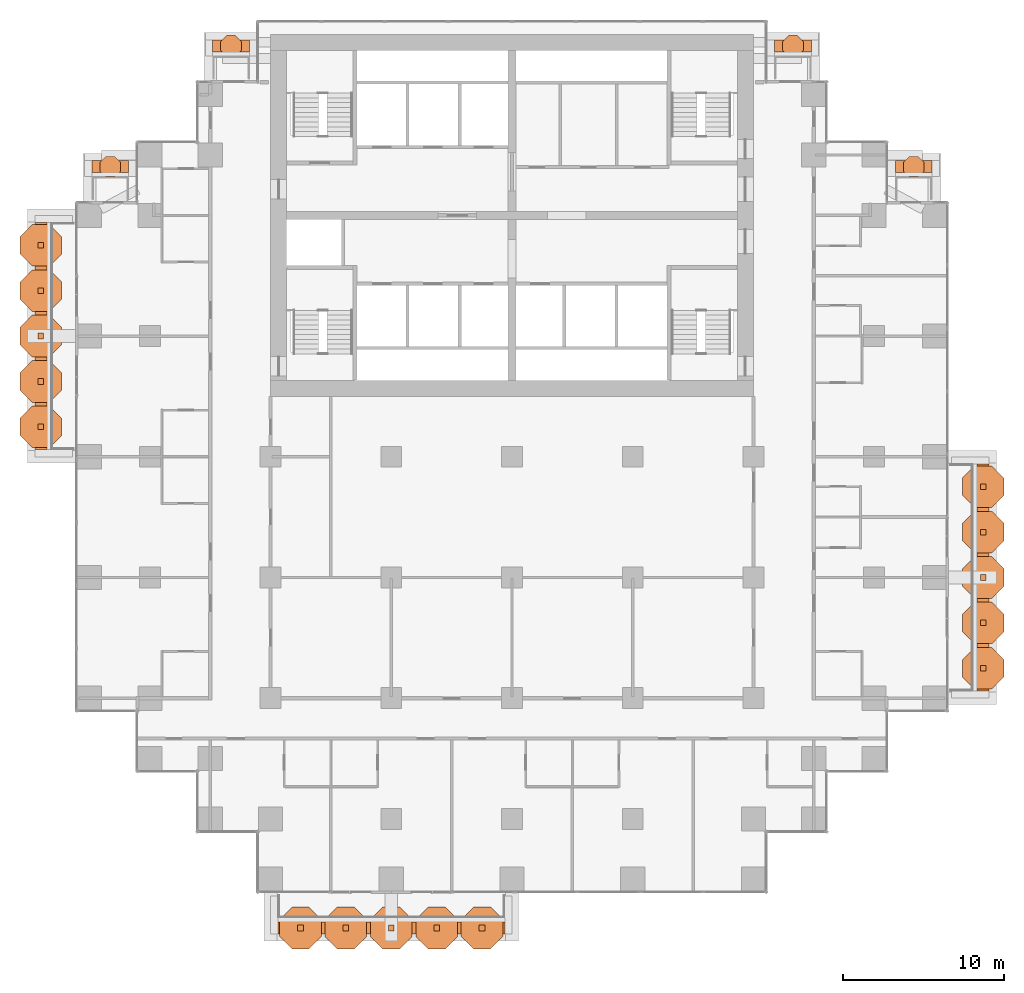
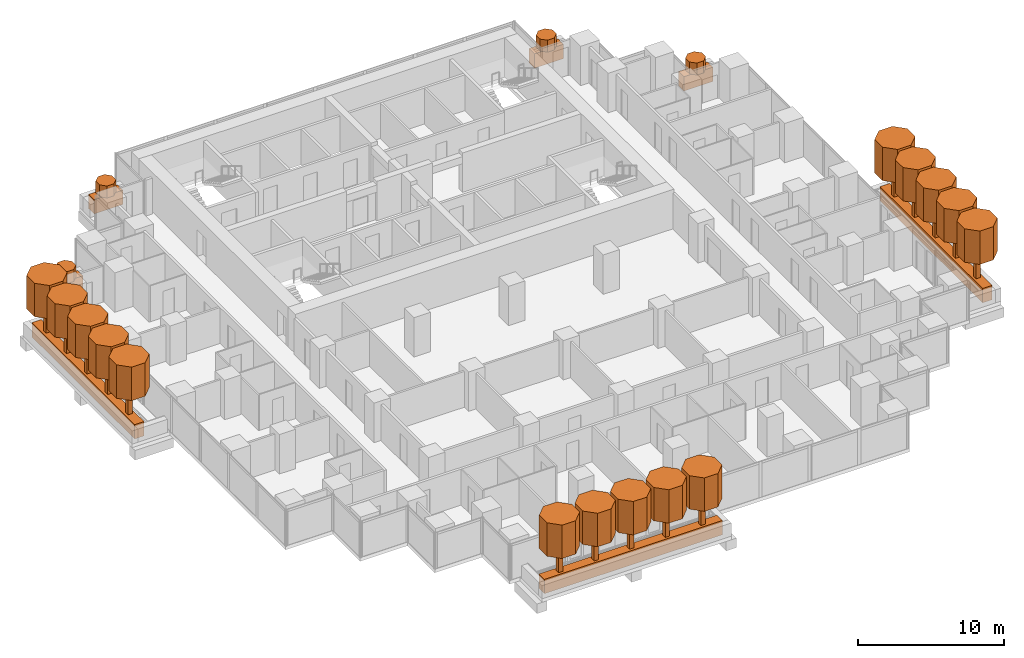
# One storey, part 18 of 18: 41 geographic elements.
"""IFC4 building model written with IfcOpenShell, lengths in metres."""

from ifc_helpers import new_model, si_unit, direction, frame, origin, origin_2d, place, context, subcontext, project, spatial, polyline, rectangle, outline, extrude, material, material_profile, profile_set, type_object, element, save


model = new_model("IFC4")

# Units and contexts
model_context = context("Model", 3, precision=1e-05, world=origin(), true_north=direction((0.0, 1.0)))
body_context = subcontext(model_context, "Body", "Model", "MODEL_VIEW")
ifc_project = project(units=[si_unit("LENGTHUNIT", "METRE"), si_unit("AREAUNIT", "SQUARE_METRE"), si_unit("VOLUMEUNIT", "CUBIC_METRE"), si_unit("PLANEANGLEUNIT", "RADIAN"), si_unit("MASSUNIT", "GRAM", prefix="KILO")], contexts=[model_context])

# Site, building, storey
site_placement = place(None, origin())
site = spatial("IfcSite", under=ifc_project, at=site_placement, CompositionType="ELEMENT")
building_placement = place(site_placement, origin())
building = spatial("IfcBuilding", under=site, at=building_placement, Name="Pilkhan Gate Tower", CompositionType="ELEMENT")
storey_placement = place(building_placement, frame((0.0, 0.0, 56.0)))
storey = spatial("IfcBuildingStorey", under=building, at=storey_placement, Name="L11", CompositionType="ELEMENT", Elevation=56.0)

# Geographic elements
ifc_material_1 = material(Name="Foliage")
ifc_material_profile_1 = material_profile(ifc_material_1, rectangle(XDim=0.75, YDim=1.199951171875, at=origin_2d()), Name="Bed 750x1200")
ifc_profile_set_1 = profile_set([ifc_material_profile_1], Name="Foliage")
geographic_element_type_1 = type_object("IfcGeographicElementType", Name="Planting bed PB1", PredefinedType="USERDEFINED", material=ifc_profile_set_1)
for number, where, z_axis, x_axis, name in (
    (1, (60.449951171875, 38.22509765625, 0.60009765625), (1.0, 0.0, 0.0), (0.0, 1.0, 0.0), "Balcony L11 S planting bed"),
    (2, (104.27490234375, 52.949951171875, 0.60009765625), (0.0, 1.0, 0.0), (-1.0, 0.0, 0.0), "Balcony L11 E planting bed"),
):
    element("IfcGeographicElement", number, at=place(storey_placement, frame(where, z_axis=z_axis, x_axis=x_axis)), inside=storey, type_object=geographic_element_type_1, Name=name, ObjectType="PLANTING BED", PredefinedType="USERDEFINED", context=body_context, shape_type="SweptSolid", body=[
        extrude(rectangle(XDim=0.75, YDim=1.199951171875, at=origin_2d()), origin(), (0.0, 0.0, 1.0), 14.10009765625),
    ])
for number, where, z_axis, x_axis, name in (
    (3, (56.39990234375, 93.02490234375, 0.60009765625), (1.0, 0.0, 0.0), (0.0, 1.0, 0.0), "Balcony L11 N planting bed"),
    (4, (91.300048828125, 93.02490234375, 0.60009765625), (1.0, 0.0, 0.0), (0.0, 1.0, 0.0), "Balcony L11 N planting bed"),
):
    element("IfcGeographicElement", number, at=place(storey_placement, frame(where, z_axis=z_axis, x_axis=x_axis)), inside=storey, type_object=geographic_element_type_1, Name=name, ObjectType="PLANTING BED", PredefinedType="USERDEFINED", context=body_context, shape_type="SweptSolid", body=[
        extrude(rectangle(XDim=0.75, YDim=1.199951171875, at=origin_2d()), origin(), (0.0, 0.0, 1.0), 2.300048828125),
    ])
for number, where, z_axis, x_axis, name in (
    (5, (48.89990234375, 85.52490234375, 0.60009765625), (1.0, 0.0, 0.0), (0.0, 1.0, 0.0), "Balcony L11 N planting bed"),
    (6, (98.820068359375, 85.52490234375, 0.60009765625), (1.0, 0.0, 0.0), (0.0, 1.0, 0.0), "Balcony L11 N planting bed"),
):
    element("IfcGeographicElement", number, at=place(storey_placement, frame(where, z_axis=z_axis, x_axis=x_axis)), inside=storey, type_object=geographic_element_type_1, Name=name, ObjectType="PLANTING BED", PredefinedType="USERDEFINED", context=body_context, shape_type="SweptSolid", body=[
        extrude(rectangle(XDim=0.75, YDim=1.199951171875, at=origin_2d()), origin(), (0.0, 0.0, 1.0), 2.280029296875),
    ])
geographic_element_placement = place(storey_placement, frame((45.72509765625, 67.949951171875, 0.60009765625), z_axis=(0.0, 1.0, 0.0), x_axis=(-1.0, 0.0, 0.0)))
element("IfcGeographicElement", 7, at=geographic_element_placement, inside=storey, type_object=geographic_element_type_1, Name="Balcony L11 W planting bed", ObjectType="PLANTING BED", PredefinedType="USERDEFINED", context=body_context, shape_type="SweptSolid", body=[
    extrude(rectangle(XDim=0.75, YDim=1.199951171875, at=origin_2d()), origin(), (0.0, 0.0, 1.0), 14.10009765625),
])
ifc_material_profile_2 = material_profile(ifc_material_1, outline(polyline([(0.646728515625, 0.267822265625), (0.267822265625, 0.646728515625), (-0.267822265625, 0.646728515625), (-0.646728515625, 0.267822265625), (-0.646728515625, -0.267822265625), (-0.267822265625, -0.646728515625), (0.267822265625, -0.646728515625), (0.646728515625, -0.267822265625), (0.646728515625, 0.267822265625)])), Name="Shrub D1.4")
ifc_profile_set_2 = profile_set([ifc_material_profile_2], Name="Foliage")
geographic_element_type_2 = type_object("IfcGeographicElementType", Name="Shrub SH07", PredefinedType="USERDEFINED", material=ifc_profile_set_2)
for number, where, z_axis, x_axis, name in (
    (8, (57.550048828125, 93.02490234375, 1.199951171875), (0.0, 0.0, 1.0), (1.0, 0.0, 0.0), "Shrub L11 N 1"),
    (9, (92.449951171875, 93.02490234375, 1.199951171875), (0.0, 0.0, 1.0), (1.0, 0.0, 0.0), "Shrub L11 N 1"),
    (10, (50.0400390625, 85.52490234375, 1.199951171875), (0.0, 0.0, 1.0), (1.0, 0.0, 0.0), "Shrub L11 N 1"),
    (11, (99.9599609375, 85.52490234375, 1.199951171875), (0.0, 0.0, 1.0), (1.0, 0.0, 0.0), "Shrub L11 N 1"),
):
    element("IfcGeographicElement", number, at=place(storey_placement, frame(where, z_axis=z_axis, x_axis=x_axis)), inside=storey, type_object=geographic_element_type_2, Name=name, ObjectType="SHRUB", PredefinedType="USERDEFINED", context=body_context, shape_type="SweptSolid", body=[
        extrude(outline(polyline([(0.646728515625, 0.267822265625), (0.267822265625, 0.646728515625), (-0.267822265625, 0.646728515625), (-0.646728515625, 0.267822265625), (-0.646728515625, -0.267822265625), (-0.267822265625, -0.646728515625), (0.267822265625, -0.646728515625), (0.646728515625, -0.267822265625), (0.646728515625, 0.267822265625)])), origin(), (0.0, 0.0, 1.0), 1.0),
    ])
ifc_material_profile_3 = material_profile(ifc_material_1, outline(polyline([(1.29345703125, 0.535888671875), (0.535888671875, 1.29345703125), (-0.535888671875, 1.29345703125), (-1.29345703125, 0.535888671875), (-1.29345703125, -0.535888671875), (-0.535888671875, -1.29345703125), (0.535888671875, -1.29345703125), (1.29345703125, -0.535888671875), (1.29345703125, 0.535888671875)])), Name="Canopy D2.8")
ifc_profile_set_3 = profile_set([ifc_material_profile_3], Name="Foliage")
geographic_element_type_3 = type_object("IfcGeographicElementType", Name="Tree canopy TC14", PredefinedType="USERDEFINED", material=ifc_profile_set_3)
for number, where, z_axis, x_axis, name in (
    (12, (61.860107421875, 38.22509765625, 3.199951171875), (0.0, 0.0, 1.0), (1.0, 0.0, 0.0), "Tree L11 S 1 canopy"),
    (13, (64.679931640625, 38.22509765625, 3.199951171875), (0.0, 0.0, 1.0), (1.0, 0.0, 0.0), "Tree L11 S 2 canopy"),
    (14, (67.5, 38.22509765625, 3.199951171875), (0.0, 0.0, 1.0), (1.0, 0.0, 0.0), "Tree L11 S 3 canopy"),
    (15, (70.320068359375, 38.22509765625, 3.199951171875), (0.0, 0.0, 1.0), (1.0, 0.0, 0.0), "Tree L11 S 4 canopy"),
    (16, (73.139892578125, 38.22509765625, 3.199951171875), (0.0, 0.0, 1.0), (1.0, 0.0, 0.0), "Tree L11 S 5 canopy"),
    (17, (104.27490234375, 54.360107421875, 3.199951171875), (0.0, 0.0, 1.0), (1.0, 0.0, 0.0), "Tree L11 E 1 canopy"),
    (18, (104.27490234375, 57.179931640625, 3.199951171875), (0.0, 0.0, 1.0), (1.0, 0.0, 0.0), "Tree L11 E 2 canopy"),
    (19, (104.27490234375, 60.0, 3.199951171875), (0.0, 0.0, 1.0), (1.0, 0.0, 0.0), "Tree L11 E 3 canopy"),
    (20, (104.27490234375, 62.820068359375, 3.199951171875), (0.0, 0.0, 1.0), (1.0, 0.0, 0.0), "Tree L11 E 4 canopy"),
    (21, (104.27490234375, 65.639892578125, 3.199951171875), (0.0, 0.0, 1.0), (1.0, 0.0, 0.0), "Tree L11 E 5 canopy"),
    (22, (45.72509765625, 69.360107421875, 3.199951171875), (0.0, 0.0, 1.0), (1.0, 0.0, 0.0), "Tree L11 W 1 canopy"),
    (23, (45.72509765625, 72.179931640625, 3.199951171875), (0.0, 0.0, 1.0), (1.0, 0.0, 0.0), "Tree L11 W 2 canopy"),
    (24, (45.72509765625, 75.0, 3.199951171875), (0.0, 0.0, 1.0), (1.0, 0.0, 0.0), "Tree L11 W 3 canopy"),
    (25, (45.72509765625, 77.820068359375, 3.199951171875), (0.0, 0.0, 1.0), (1.0, 0.0, 0.0), "Tree L11 W 4 canopy"),
    (26, (45.72509765625, 80.639892578125, 3.199951171875), (0.0, 0.0, 1.0), (1.0, 0.0, 0.0), "Tree L11 W 5 canopy"),
):
    element("IfcGeographicElement", number, at=place(storey_placement, frame(where, z_axis=z_axis, x_axis=x_axis)), inside=storey, type_object=geographic_element_type_3, Name=name, ObjectType="TREE", PredefinedType="USERDEFINED", context=body_context, shape_type="SweptSolid", body=[
        extrude(outline(polyline([(1.29345703125, 0.535888671875), (0.535888671875, 1.29345703125), (-0.535888671875, 1.29345703125), (-1.29345703125, 0.535888671875), (-1.29345703125, -0.535888671875), (-0.535888671875, -1.29345703125), (0.535888671875, -1.29345703125), (1.29345703125, -0.535888671875), (1.29345703125, 0.535888671875)])), origin(), (0.0, 0.0, 1.0), 2.800048828125),
    ])
ifc_material_2 = material(Name="Timber trunk", Category="wood")
geographic_element_type_4 = type_object("IfcGeographicElementType", Name="Tree trunk TT1", PredefinedType="USERDEFINED", material=ifc_material_2)
for number, where, z_axis, x_axis, name in (
    (27, (61.860107421875, 38.22509765625, 1.199951171875), (0.0, 0.0, 1.0), (1.0, 0.0, 0.0), "Tree L11 S 1 trunk"),
    (28, (64.679931640625, 38.22509765625, 1.199951171875), (0.0, 0.0, 1.0), (1.0, 0.0, 0.0), "Tree L11 S 2 trunk"),
    (29, (67.5, 38.22509765625, 1.199951171875), (0.0, 0.0, 1.0), (1.0, 0.0, 0.0), "Tree L11 S 3 trunk"),
    (30, (70.320068359375, 38.22509765625, 1.199951171875), (0.0, 0.0, 1.0), (1.0, 0.0, 0.0), "Tree L11 S 4 trunk"),
    (31, (73.139892578125, 38.22509765625, 1.199951171875), (0.0, 0.0, 1.0), (1.0, 0.0, 0.0), "Tree L11 S 5 trunk"),
    (32, (104.27490234375, 54.360107421875, 1.199951171875), (0.0, 0.0, 1.0), (1.0, 0.0, 0.0), "Tree L11 E 1 trunk"),
    (33, (104.27490234375, 57.179931640625, 1.199951171875), (0.0, 0.0, 1.0), (1.0, 0.0, 0.0), "Tree L11 E 2 trunk"),
    (34, (104.27490234375, 60.0, 1.199951171875), (0.0, 0.0, 1.0), (1.0, 0.0, 0.0), "Tree L11 E 3 trunk"),
    (35, (104.27490234375, 62.820068359375, 1.199951171875), (0.0, 0.0, 1.0), (1.0, 0.0, 0.0), "Tree L11 E 4 trunk"),
    (36, (104.27490234375, 65.639892578125, 1.199951171875), (0.0, 0.0, 1.0), (1.0, 0.0, 0.0), "Tree L11 E 5 trunk"),
    (37, (45.72509765625, 69.360107421875, 1.199951171875), (0.0, 0.0, 1.0), (1.0, 0.0, 0.0), "Tree L11 W 1 trunk"),
    (38, (45.72509765625, 72.179931640625, 1.199951171875), (0.0, 0.0, 1.0), (1.0, 0.0, 0.0), "Tree L11 W 2 trunk"),
    (39, (45.72509765625, 75.0, 1.199951171875), (0.0, 0.0, 1.0), (1.0, 0.0, 0.0), "Tree L11 W 3 trunk"),
    (40, (45.72509765625, 77.820068359375, 1.199951171875), (0.0, 0.0, 1.0), (1.0, 0.0, 0.0), "Tree L11 W 4 trunk"),
    (41, (45.72509765625, 80.639892578125, 1.199951171875), (0.0, 0.0, 1.0), (1.0, 0.0, 0.0), "Tree L11 W 5 trunk"),
):
    element("IfcGeographicElement", number, at=place(storey_placement, frame(where, z_axis=z_axis, x_axis=x_axis)), inside=storey, type_object=geographic_element_type_4, Name=name, ObjectType="TREE", PredefinedType="USERDEFINED", context=body_context, shape_type="SweptSolid", body=[
        extrude(rectangle(XDim=0.35009765625, YDim=0.35009765625, at=origin_2d()), origin(), (0.0, 0.0, 1.0), 2.0),
    ])

save(model, "model.ifc")
